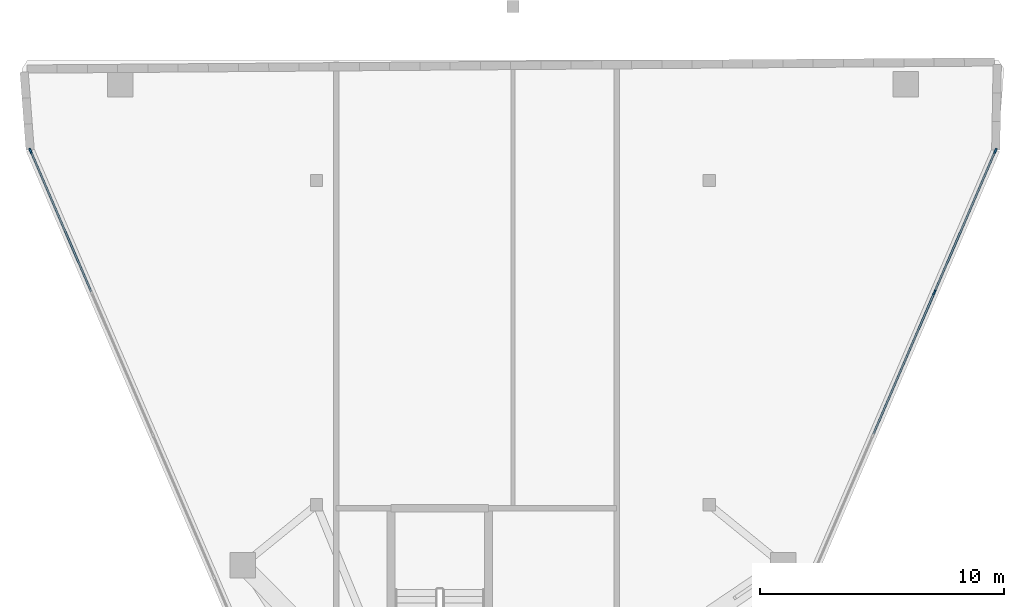
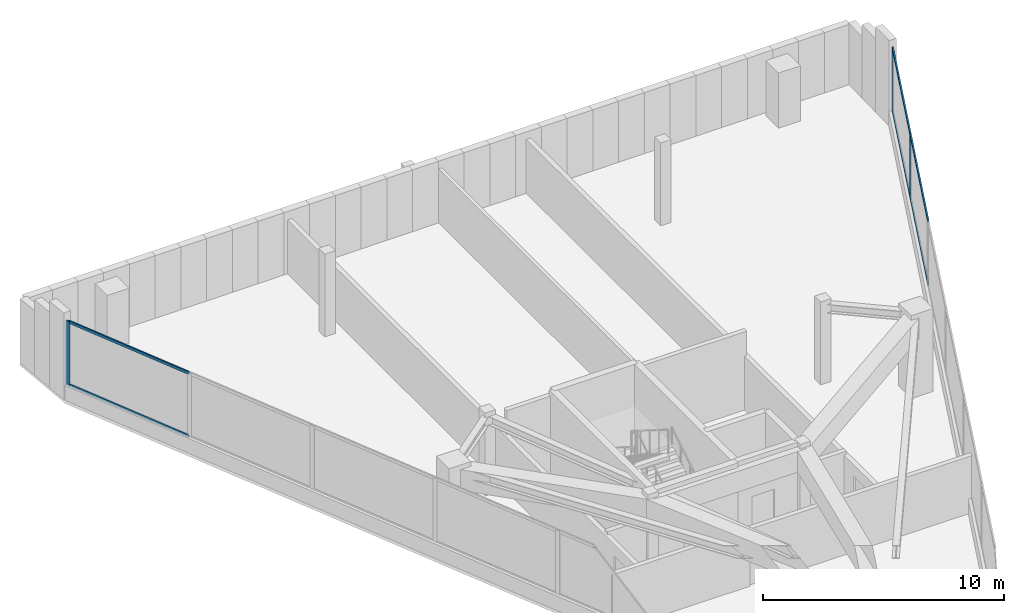
# One storey, part 3 of 7: 9 members, 2 elements without a shape of their own.
"""IFC4 building model written with IfcOpenShell, lengths in metres."""

import ifcopenshell
import ifcopenshell.guid

model = None  # the IFC model being written
_history = None  # IfcOwnerHistory: only IFC2X3 demands one
_inside = {}  # id of a spatial element -> (the spatial element, [elements in it])
_under = {}  # id of a project, library or spatial element -> (it, [spatial elements below it])
_declared = {}  # id of a project -> (the project, [libraries it declares])
_typed = {}  # id of a type object -> (the type object, [elements of that type])
_made_of = {}  # id of a material, layer set ... -> (it, [elements and type objects made of it])


def new_model(schema):
    """Start an empty IFC model of exactly this schema.

    Asked for "IFC4X3", IfcOpenShell would pick the latest addendum, in which some entities
    have other attributes; the version numbers below select the first issue.
    IFC2X3 requires an IfcOwnerHistory on every rooted entity: one is made here for all.
    """
    global model, _history
    if schema == "IFC4X3":
        model = ifcopenshell.file(schema_version=(4, 3, 0, 0))
    else:
        model = ifcopenshell.file(schema=schema)
    _inside.clear()
    _under.clear()
    _declared.clear()
    _typed.clear()
    _made_of.clear()
    _history = None
    if model.schema == "IFC2X3":
        org = make("IfcOrganization", Name="unknown")
        user = make(
            "IfcPersonAndOrganization",
            ThePerson=make("IfcPerson", FamilyName="unknown"),
            TheOrganization=org,
        )
        app = make(
            "IfcApplication",
            ApplicationDeveloper=org,
            Version="unknown",
            ApplicationFullName="unknown",
            ApplicationIdentifier="unknown",
        )
        _history = make(
            "IfcOwnerHistory",
            OwningUser=user,
            OwningApplication=app,
            ChangeAction="ADDED",
            CreationDate=0,
        )
    return model


def make(cls, **values):
    """One entity of the class cls with the attributes given. An attribute that is None is left unset."""
    return model.create_entity(
        cls, **{name: value for name, value in values.items() if value is not None}
    )


def rooted(cls, **values):
    """An entity with a GlobalId (a new one), such as an element, a storey or a relation."""
    return make(cls, GlobalId=ifcopenshell.guid.new(), OwnerHistory=_history, **values)


def si_unit(unit_type, name, prefix=None):
    """IfcSIUnit, for example si_unit("LENGTHUNIT", "METRE", prefix="MILLI")."""
    return make("IfcSIUnit", UnitType=unit_type, Prefix=prefix, Name=name)


def assignment(units):
    """IfcUnitAssignment: the units of a project."""
    return None if units is None else make("IfcUnitAssignment", Units=units)


def point(xyz):
    """IfcCartesianPoint."""
    return None if xyz is None else make("IfcCartesianPoint", Coordinates=xyz)


def direction(xyz):
    """IfcDirection."""
    return None if xyz is None else make("IfcDirection", DirectionRatios=xyz)


def frame(location, z_axis=None, x_axis=None):
    """IfcAxis2Placement3D, a coordinate frame: its origin and axes. An axis left out is left unset."""
    return make(
        "IfcAxis2Placement3D",
        Location=point(location),
        Axis=direction(z_axis),
        RefDirection=direction(x_axis),
    )


def frame_2d(location, x_axis=None):
    """IfcAxis2Placement2D, a coordinate frame in the plane: its origin and x axis."""
    return make(
        "IfcAxis2Placement2D", Location=point(location), RefDirection=direction(x_axis)
    )


def origin():
    """The frame at (0, 0, 0) with its axes left unset."""
    return frame((0.0, 0.0, 0.0))


def origin_2d():
    """The frame at (0, 0) in the plane with its x axis left unset."""
    return frame_2d((0.0, 0.0))


def place(relative_to, where):
    """IfcLocalPlacement: puts the frame where relative to a parent placement (None: the world)."""
    return make(
        "IfcLocalPlacement", PlacementRelTo=relative_to, RelativePlacement=where
    )


def context(
    kind, dimensions, precision=None, world=None, true_north=None, identifier=None
):
    """IfcGeometricRepresentationContext, for example the 3D "Model" context."""
    return make(
        "IfcGeometricRepresentationContext",
        ContextIdentifier=identifier,
        ContextType=kind,
        CoordinateSpaceDimension=dimensions,
        Precision=precision,
        WorldCoordinateSystem=world,
        TrueNorth=true_north,
    )


def subcontext(parent, identifier, kind, view, scale=None):
    """IfcGeometricRepresentationSubContext, for example "Body" below "Model"."""
    return make(
        "IfcGeometricRepresentationSubContext",
        ContextIdentifier=identifier,
        ContextType=kind,
        ParentContext=parent,
        TargetScale=scale,
        TargetView=view,
    )


def project(units=None, contexts=None):
    """IfcProject with its units and contexts."""
    return rooted(
        "IfcProject",
        Name="project",
        RepresentationContexts=contexts,
        UnitsInContext=assignment(units),
    )


def spatial(cls, under=None, at=None, **own):
    """A site, building, storey or space (cls), placed at a placement, below another one or the project."""
    s = rooted(cls, ObjectPlacement=at, **own)
    if under is not None:
        _under.setdefault(under.id(), (under, []))[1].append(s)
    return s


def profile(cls, at=None, kind="AREA", **sizes):
    """A parametric profile (cls). Its sizes go by their IFC names, for example OverallWidth=200.0."""
    return make(cls, ProfileType=kind, Position=at, **sizes)


def rectangle(**sizes):
    """IfcRectangleProfileDef."""
    return profile("IfcRectangleProfileDef", **sizes)


def extrude(swept, where, along, depth):
    """IfcExtrudedAreaSolid: the profile swept, set in the frame where, extruded along a direction by depth."""
    return make(
        "IfcExtrudedAreaSolid",
        SweptArea=swept,
        Position=where,
        ExtrudedDirection=direction(along),
        Depth=depth,
    )


def shape(context_of_items, identifier, shape_type, items):
    """IfcShapeRepresentation: the items that make up one representation, for example the "Body"."""
    return make(
        "IfcShapeRepresentation",
        ContextOfItems=context_of_items,
        RepresentationIdentifier=identifier,
        RepresentationType=shape_type,
        Items=items,
    )


def material(Name=None, Category=None):
    """IfcMaterial."""
    return make("IfcMaterial", Name=Name, Category=Category)


def layer(
    of_material, thickness, ventilated=None, Name=None, Category=None, Priority=None
):
    """IfcMaterialLayer: one layer of a wall or slab, of a material (None: an air gap)."""
    return make(
        "IfcMaterialLayer",
        Material=of_material,
        LayerThickness=thickness,
        IsVentilated=ventilated,
        Name=Name,
        Category=Category,
        Priority=Priority,
    )


def layer_set(layers, Name=None):
    """IfcMaterialLayerSet."""
    return make("IfcMaterialLayerSet", MaterialLayers=layers, LayerSetName=Name)


def material_profile(
    of_material, cross_section, Name=None, Category=None, Priority=None
):
    """IfcMaterialProfile: a cross section and its material."""
    return make(
        "IfcMaterialProfile",
        Name=Name,
        Material=of_material,
        Profile=cross_section,
        Priority=Priority,
        Category=Category,
    )


def profile_set(profiles, Name=None, composite=None):
    """IfcMaterialProfileSet."""
    return make(
        "IfcMaterialProfileSet",
        Name=Name,
        MaterialProfiles=profiles,
        CompositeProfile=composite,
    )


def made_of(thing, what):
    """Note that an element or type object is made of a material, layer set ...; save() writes the relation."""
    if what is not None:
        _made_of.setdefault(what.id(), (what, []))[1].append(thing)
    return thing


def type_object(cls, material=None, **own):
    """A type object (cls), such as IfcWallType, which elements share."""
    return made_of(rooted(cls, **own), material)


def element(
    cls,
    number,
    at=None,
    inside=None,
    cuts=None,
    type_object=None,
    material=None,
    context=None,
    identifier="Body",
    shape_type=None,
    held_by="IfcProductDefinitionShape",
    body=None,
    shapes=None,
    **own,
):
    """One element of the class cls, such as IfcWall. Its Tag is "e" and its number.

    at: its placement. inside: the storey or other place that contains it. cuts: it is an
    opening in that element (IfcRelVoidsElement). A single representation is given by context,
    identifier, shape_type and body (its items); several are given by shapes. held_by: the class
    of the entity that holds the representations. save() writes the other relations.
    """
    e = rooted(cls, Tag="e%d" % number, ObjectPlacement=at, **own)
    if body is not None:
        shapes = [shape(context, identifier, shape_type, body)]
    if shapes is not None:
        e.Representation = make(held_by, Representations=shapes)
    if inside is not None:
        _inside.setdefault(inside.id(), (inside, []))[1].append(e)
    if cuts is not None:
        rooted(
            "IfcRelVoidsElement", RelatingBuildingElement=cuts, RelatedOpeningElement=e
        )
    if type_object is not None:
        _typed.setdefault(type_object.id(), (type_object, []))[1].append(e)
    return made_of(e, material)


def aggregate(whole, parts):
    """IfcRelAggregates: a whole, such as a stair, and the parts it consists of."""
    return rooted("IfcRelAggregates", RelatingObject=whole, RelatedObjects=parts)


def save(model, path):
    """Write the relations noted so far, then the file.

    IfcRelAggregates (storeys below a building ...), IfcRelContainedInSpatialStructure (elements
    in a storey), IfcRelDefinesByType, IfcRelAssociatesMaterial and IfcRelDeclares: one each for
    every whole, place, type object, material and project.
    """
    for whole, parts in _under.values():
        aggregate(whole, parts)
    for where, things in _inside.values():
        rooted(
            "IfcRelContainedInSpatialStructure",
            RelatedElements=things,
            RelatingStructure=where,
        )
    for kind, things in _typed.values():
        rooted("IfcRelDefinesByType", RelatedObjects=things, RelatingType=kind)
    for what, things in _made_of.values():
        rooted("IfcRelAssociatesMaterial", RelatedObjects=things, RelatingMaterial=what)
    for by, libraries in _declared.values():
        rooted("IfcRelDeclares", RelatingContext=by, RelatedDefinitions=libraries)
    model.write(path)


model = new_model("IFC4")

# Units and contexts
model_context = context("Model", 3, precision=1e-05, world=origin(), true_north=direction((0.0, 1.0)))
body_context = subcontext(model_context, "Body", "Model", "MODEL_VIEW")
ifc_project = project(units=[si_unit("LENGTHUNIT", "METRE"), si_unit("AREAUNIT", "SQUARE_METRE"), si_unit("VOLUMEUNIT", "CUBIC_METRE"), si_unit("PLANEANGLEUNIT", "RADIAN"), si_unit("MASSUNIT", "GRAM", prefix="KILO")], contexts=[model_context])

# Site, building, storey
site_placement = place(None, origin())
site = spatial("IfcSite", under=ifc_project, at=site_placement, CompositionType="ELEMENT")
building_placement = place(site_placement, origin())
building = spatial("IfcBuilding", under=site, at=building_placement, Name="Talyreon Biosciences Tower", CompositionType="ELEMENT")
storey_placement = place(building_placement, frame((0.0, 0.0, 321.39990234375)))
storey = spatial("IfcBuildingStorey", under=building, at=storey_placement, Name="L85", CompositionType="ELEMENT", Elevation=321.39990234375)

# Curtain wall, members
ifc_material_1 = material(Name="Thermally broken aluminium and low-E glazing", Category="aluminium")
ifc_layer = layer(ifc_material_1, 0.2099609375)
ifc_layer_set = layer_set([ifc_layer], Name="Thermally broken aluminium and low-E glazing")
curtain_wall_type = type_object("IfcCurtainWallType", Name="CurtainWall_SlantedCrown", PredefinedType="NOTDEFINED", material=ifc_layer_set)
curtain_wall_1_placement = place(storey_placement, origin())
curtain_wall_1 = element("IfcCurtainWall", 1, at=curtain_wall_1_placement, inside=storey, type_object=curtain_wall_type, Name="L85 Unitised Curtain Wall FCW-L85-03C", PredefinedType="NOTDEFINED")
ifc_material_2 = material(Name="Anodised thermally broken aluminium", Category="aluminium")
ifc_material_profile_1 = material_profile(ifc_material_2, rectangle(XDim=0.074951171875, YDim=0.2099609375, at=origin_2d()), Name="ALUM MULLION 75x210")
ifc_profile_set_1 = profile_set([ifc_material_profile_1], Name="Anodised thermally broken aluminium")
member_type_1 = type_object("IfcMemberType", Name="CWMullion_75x210", PredefinedType="MULLION", material=ifc_profile_set_1)
member_1_placement = place(storey_placement, frame((85.782470703125, 75.867431640625, 0.710205078125), z_axis=(0.0, 0.0, 1.0), x_axis=(0.918487228756, -0.395450642447, 0.0)))
member_1 = element("IfcMember", 2, at=member_1_placement, type_object=member_type_1, Name="CW8 mullion 1", PredefinedType="MULLION", context=body_context, shape_type="SweptSolid", body=[
    extrude(rectangle(XDim=0.074951171875, YDim=0.2099609375, at=origin_2d()), origin(), (0.0, 0.0, 1.0), 3.2548828125),
])
member_2_placement = place(storey_placement, frame((83.28271484375, 70.06103515625, 0.710205078125), z_axis=(0.0, 0.0, 1.0), x_axis=(0.918487228756, -0.395450642447, 0.0)))
member_2 = element("IfcMember", 3, at=member_2_placement, type_object=member_type_1, Name="CW8 mullion 2", PredefinedType="MULLION", context=body_context, shape_type="SweptSolid", body=[
    extrude(rectangle(XDim=0.074951171875, YDim=0.2099609375, at=origin_2d()), origin(), (0.0, 0.0, 1.0), 3.2548828125),
])

# Curtain wall, member
curtain_wall_2_placement = place(storey_placement, origin())
curtain_wall_2 = element("IfcCurtainWall", 4, at=curtain_wall_2_placement, inside=storey, type_object=curtain_wall_type, Name="L85 Unitised Curtain Wall FCW-L85-07C", PredefinedType="NOTDEFINED")
member_3_placement = place(storey_placement, frame((46.217529296875, 75.867431640625, 0.710205078125), z_axis=(0.0, 0.0, 1.0), x_axis=(-0.918487228756, -0.395450642447, 0.0)))
member_3 = element("IfcMember", 5, at=member_3_placement, type_object=member_type_1, Name="CW8 mullion 7", PredefinedType="MULLION", context=body_context, shape_type="SweptSolid", body=[
    extrude(rectangle(XDim=0.074951171875, YDim=0.2099609375, at=origin_2d()), origin(), (0.0, 0.0, 1.0), 3.2548828125),
])

# Member
ifc_material_profile_2 = material_profile(ifc_material_2, rectangle(XDim=0.06494140625, YDim=0.139892578125, at=origin_2d()), Name="ALUM TRANSOM 65x140")
ifc_profile_set_2 = profile_set([ifc_material_profile_2], Name="Anodised thermally broken aluminium")
member_type_2 = type_object("IfcMemberType", Name="CWTransom_65x140", PredefinedType="USERDEFINED", material=ifc_profile_set_2)
member_4_placement = place(storey_placement, frame((85.767822265625, 75.8330078125, 0.74267578125), z_axis=(-0.395475293294, -0.91847661505, 0.0), x_axis=(0.91847661505, -0.395475293294, 0.0)))
member_4 = element("IfcMember", 6, at=member_4_placement, type_object=member_type_2, Name="CW8 transom 1.1", ObjectType="TRANSOM", PredefinedType="USERDEFINED", context=body_context, shape_type="SweptSolid", body=[
    extrude(rectangle(XDim=0.06494140625, YDim=0.139892578125, at=origin_2d()), origin(), (0.0, 0.0, 1.0), 6.246826171875),
])

member_5_placement = place(storey_placement, frame((85.767822265625, 75.8330078125, 3.9326171875), z_axis=(-0.395475293294, -0.91847661505, 0.0), x_axis=(0.91847661505, -0.395475293294, 0.0)))
member_5 = element("IfcMember", 7, at=member_5_placement, type_object=member_type_2, Name="CW8 transom 1.2", ObjectType="TRANSOM", PredefinedType="USERDEFINED", context=body_context, shape_type="SweptSolid", body=[
    extrude(rectangle(XDim=0.06494140625, YDim=0.139892578125, at=origin_2d()), origin(), (0.0, 0.0, 1.0), 6.246826171875),
])

member_6_placement = place(storey_placement, frame((83.267822265625, 70.026611328125, 0.74267578125), z_axis=(-0.395451977448, -0.918486653976, 0.0), x_axis=(0.918486653976, -0.395451977448, 0.0)))
member_6 = element("IfcMember", 8, at=member_6_placement, type_object=member_type_2, Name="CW8 transom 2.1", ObjectType="TRANSOM", PredefinedType="USERDEFINED", context=body_context, shape_type="SweptSolid", body=[
    extrude(rectangle(XDim=0.06494140625, YDim=0.139892578125, at=origin_2d()), origin(), (0.0, 0.0, 1.0), 6.2841796875),
])

member_7_placement = place(storey_placement, frame((83.267822265625, 70.026611328125, 3.9326171875), z_axis=(-0.395451977448, -0.918486653976, 0.0), x_axis=(0.918486653976, -0.395451977448, 0.0)))
member_7 = element("IfcMember", 9, at=member_7_placement, type_object=member_type_2, Name="CW8 transom 2.2", ObjectType="TRANSOM", PredefinedType="USERDEFINED", context=body_context, shape_type="SweptSolid", body=[
    extrude(rectangle(XDim=0.06494140625, YDim=0.139892578125, at=origin_2d()), origin(), (0.0, 0.0, 1.0), 6.2841796875),
])

aggregate(curtain_wall_1, [member_1, member_2, member_4, member_5, member_6, member_7])

member_8_placement = place(storey_placement, frame((48.70263671875, 70.095458984375, 0.74267578125), z_axis=(-0.395475293294, 0.91847661505, 0.0), x_axis=(-0.91847661505, -0.395475293294, 0.0)))
member_8 = element("IfcMember", 10, at=member_8_placement, type_object=member_type_2, Name="CW8 transom 6.1", ObjectType="TRANSOM", PredefinedType="USERDEFINED", context=body_context, shape_type="SweptSolid", body=[
    extrude(rectangle(XDim=0.06494140625, YDim=0.139892578125, at=origin_2d()), origin(), (0.0, 0.0, 1.0), 6.246826171875),
])

member_9_placement = place(storey_placement, frame((48.70263671875, 70.095458984375, 3.9326171875), z_axis=(-0.395475293294, 0.91847661505, 0.0), x_axis=(-0.91847661505, -0.395475293294, 0.0)))
member_9 = element("IfcMember", 11, at=member_9_placement, type_object=member_type_2, Name="CW8 transom 6.2", ObjectType="TRANSOM", PredefinedType="USERDEFINED", context=body_context, shape_type="SweptSolid", body=[
    extrude(rectangle(XDim=0.06494140625, YDim=0.139892578125, at=origin_2d()), origin(), (0.0, 0.0, 1.0), 6.246826171875),
])

aggregate(curtain_wall_2, [member_3, member_8, member_9])

save(model, "model.ifc")
